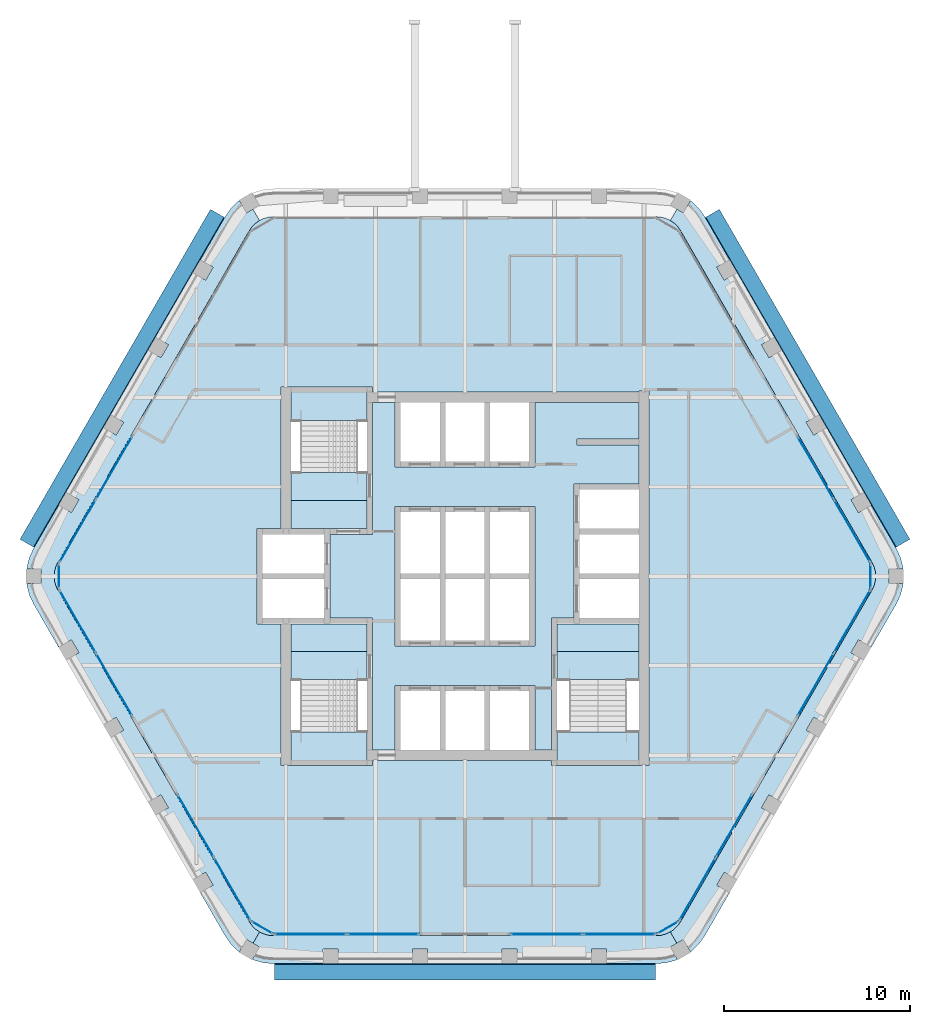
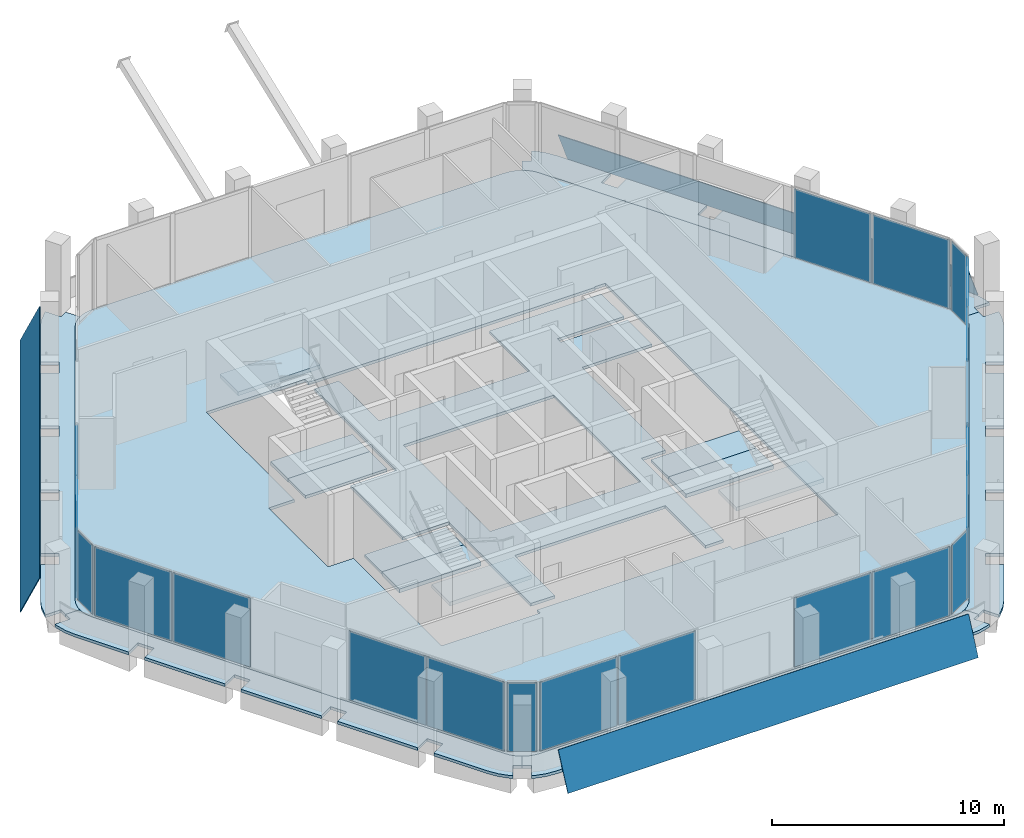
# One storey, part 6 of 14: 23 plates, 16 slabs, 15 elements without a shape of their own.
"""IFC4 building model written with IfcOpenShell, lengths in metres."""

from ifc_helpers import new_model, si_unit, direction, frame, origin, origin_2d, place, context, subcontext, project, spatial, polyline, rectangle, outline, extrude, material, layer, layer_set, type_object, element, aggregate, save


model = new_model("IFC4")

# Units and contexts
model_context = context("Model", 3, precision=1e-05, world=origin(), true_north=direction((0.0, 1.0)))
body_context = subcontext(model_context, "Body", "Model", "MODEL_VIEW")
ifc_project = project(units=[si_unit("LENGTHUNIT", "METRE"), si_unit("AREAUNIT", "SQUARE_METRE"), si_unit("VOLUMEUNIT", "CUBIC_METRE"), si_unit("PLANEANGLEUNIT", "RADIAN"), si_unit("MASSUNIT", "GRAM", prefix="KILO")], contexts=[model_context])

# Site, building, storey
site_placement = place(None, origin())
site = spatial("IfcSite", under=ifc_project, at=site_placement, CompositionType="ELEMENT")
building_placement = place(site_placement, origin())
building = spatial("IfcBuilding", under=site, at=building_placement, Name="Kolab Exchange Tower", CompositionType="ELEMENT")
storey_placement = place(building_placement, frame((0.0, 0.0, 261.800048828125)))
storey = spatial("IfcBuildingStorey", under=building, at=storey_placement, Name="L58", CompositionType="ELEMENT", Elevation=261.800048828125)

# Slabs
ifc_material_1 = material(Name="Concrete C35/45", Category="concrete")
ifc_layer_1 = layer(ifc_material_1, 0.14990234375)
ifc_layer_set_1 = layer_set([ifc_layer_1], Name="Concrete C35/45")
slab_type_1 = type_object("IfcSlabType", Name="FLOOR SLAB 150", PredefinedType="FLOOR", material=ifc_layer_set_1)
slab_1_placement = place(storey_placement, frame((0.0, 0.0, -0.150146484375)))
element("IfcSlab", 1, at=slab_1_placement, inside=storey, type_object=slab_type_1, Name="slab/L58/floor/0", PredefinedType="FLOOR", context=body_context, shape_type="SweptSolid", body=[
    extrude(outline(polyline([(11.56689453125, -18.53466796875), (21.8349609375, -0.75), (21.945556640625, -0.512939453125), (22.01318359375, -0.260498046875), (22.035888671875, 0.0), (22.01318359375, 0.260498046875), (21.945556640625, 0.512939453125), (21.8349609375, 0.75), (11.56689453125, 18.53466796875), (11.4169921875, 18.748779296875), (11.232177734375, 18.93359375), (11.01806640625, 19.083740234375), (10.781005859375, 19.194091796875), (10.5283203125, 19.26171875), (10.26806640625, 19.28466796875), (-10.26806640625, 19.28466796875), (-10.5283203125, 19.26171875), (-10.781005859375, 19.194091796875), (-11.01806640625, 19.083740234375), (-11.232177734375, 18.93359375), (-11.4169921875, 18.748779296875), (-11.56689453125, 18.53466796875), (-21.8349609375, 0.75), (-21.945556640625, 0.512939453125), (-22.01318359375, 0.260498046875), (-22.035888671875, 0.0), (-22.01318359375, -0.260498046875), (-21.945556640625, -0.512939453125), (-21.8349609375, -0.75), (-11.56689453125, -18.53466796875), (-11.4169921875, -18.748779296875), (-11.232177734375, -18.93359375), (-11.01806640625, -19.083740234375), (-10.781005859375, -19.194091796875), (-10.5283203125, -19.26171875), (-10.26806640625, -19.28466796875), (10.26806640625, -19.28466796875), (10.5283203125, -19.26171875), (10.781005859375, -19.194091796875), (11.01806640625, -19.083740234375), (11.232177734375, -18.93359375), (11.4169921875, -18.748779296875), (11.56689453125, -18.53466796875)]), holes=[polyline([(-9.324951171875, -10.14990234375), (-9.875, -10.14990234375), (-9.875, -2.550048828125), (-10.85009765625, -2.550048828125), (-11.14990234375, -2.550048828125), (-11.14990234375, 2.550048828125), (-10.85009765625, 2.550048828125), (-9.875, 2.550048828125), (-9.875, 10.14990234375), (-9.324951171875, 10.14990234375), (-5.25, 10.14990234375), (-4.949951171875, 10.14990234375), (-4.949951171875, 9.875), (9.324951171875, 9.875), (9.324951171875, 9.925048828125), (9.875, 9.925048828125), (9.875, -10.14990234375), (9.324951171875, -10.14990234375), (4.949951171875, -10.14990234375), (4.64990234375, -10.14990234375), (4.64990234375, -9.875), (-4.949951171875, -9.875), (-4.949951171875, -10.14990234375), (-5.25, -10.14990234375), (-9.324951171875, -10.14990234375)])]), origin(), (0.0, 0.0, 1.0), 0.150146484375),
])
slab_2_placement = place(storey_placement, frame((0.0, 0.0, -0.150146484375)))
element("IfcSlab", 2, at=slab_2_placement, inside=storey, type_object=slab_type_1, Name="slab/L58/floor/1", PredefinedType="FLOOR", context=body_context, shape_type="SweptSolid", body=[
    extrude(outline(polyline([(-4.949951171875, 9.324951171875), (-4.949951171875, 2.25), (-5.25, 2.25), (-7.25, 2.25), (-7.25, -2.25), (-5.25, -2.25), (-4.949951171875, -2.25), (-4.949951171875, -9.324951171875), (-3.75, -9.324951171875), (-3.75, -5.85009765625), (-3.449951171875, -5.85009765625), (-1.35009765625, -5.85009765625), (-1.050048828125, -5.85009765625), (1.050048828125, -5.85009765625), (1.35009765625, -5.85009765625), (3.449951171875, -5.85009765625), (3.75, -5.85009765625), (3.75, -9.324951171875), (4.64990234375, -9.324951171875), (4.64990234375, -2.25), (4.949951171875, -2.25), (5.85009765625, -2.25), (5.85009765625, 4.949951171875), (6.14990234375, 4.949951171875), (9.324951171875, 4.949951171875), (9.324951171875, 7.050048828125), (6.0, 7.050048828125), (6.0, 7.35009765625), (9.324951171875, 7.35009765625), (9.324951171875, 9.324951171875), (3.75, 9.324951171875), (3.75, 5.85009765625), (3.449951171875, 5.85009765625), (1.35009765625, 5.85009765625), (1.050048828125, 5.85009765625), (-1.050048828125, 5.85009765625), (-1.35009765625, 5.85009765625), (-3.449951171875, 5.85009765625), (-3.75, 5.85009765625), (-3.75, 9.324951171875), (-4.949951171875, 9.324951171875)]), holes=[polyline([(-3.449951171875, -3.75), (-3.75, -3.75), (-3.75, 3.75), (-3.449951171875, 3.75), (-1.35009765625, 3.75), (-1.050048828125, 3.75), (1.050048828125, 3.75), (1.35009765625, 3.75), (3.449951171875, 3.75), (3.75, 3.75), (3.75, -3.75), (3.449951171875, -3.75), (1.35009765625, -3.75), (1.050048828125, -3.75), (-1.050048828125, -3.75), (-1.35009765625, -3.75), (-3.449951171875, -3.75)])]), origin(), (0.0, 0.0, 1.0), 0.150146484375),
])
slab_3_placement = place(storey_placement, frame((0.0, 0.0, -0.150146484375)))
element("IfcSlab", 3, at=slab_3_placement, inside=storey, type_object=slab_type_1, Name="slab/L58/floor/2", PredefinedType="FLOOR", context=body_context, shape_type="SweptSolid", body=[
    extrude(outline(polyline([(4.949951171875, -2.550048828125), (4.949951171875, -4.050048828125), (9.324951171875, -4.050048828125), (9.324951171875, -2.550048828125), (6.14990234375, -2.550048828125), (5.85009765625, -2.550048828125), (4.949951171875, -2.550048828125)])), origin(), (0.0, 0.0, 1.0), 0.150146484375),
])
slab_4_placement = place(storey_placement, frame((0.0, 0.0, -0.150146484375)))
element("IfcSlab", 4, at=slab_4_placement, inside=storey, type_object=slab_type_1, Name="slab/L58/floor/3", PredefinedType="FLOOR", context=body_context, shape_type="SweptSolid", body=[
    extrude(outline(polyline([(-7.550048828125, -2.550048828125), (-9.324951171875, -2.550048828125), (-9.324951171875, -4.050048828125), (-5.25, -4.050048828125), (-5.25, -2.550048828125), (-7.25, -2.550048828125), (-7.550048828125, -2.550048828125)])), origin(), (0.0, 0.0, 1.0), 0.150146484375),
])
slab_5_placement = place(storey_placement, frame((0.0, 0.0, -0.150146484375)))
element("IfcSlab", 5, at=slab_5_placement, inside=storey, type_object=slab_type_1, Name="slab/L58/floor/4", PredefinedType="FLOOR", context=body_context, shape_type="SweptSolid", body=[
    extrude(outline(polyline([(-9.324951171875, 4.050048828125), (-9.324951171875, 2.550048828125), (-7.550048828125, 2.550048828125), (-7.25, 2.550048828125), (-5.25, 2.550048828125), (-5.25, 4.050048828125), (-9.324951171875, 4.050048828125)])), origin(), (0.0, 0.0, 1.0), 0.150146484375),
])
ifc_layer_2 = layer(ifc_material_1, 0.14990234375)
ifc_layer_set_2 = layer_set([ifc_layer_2], Name="Concrete C35/45")
slab_type_2 = type_object("IfcSlabType", Name="LOGGIA SLAB 150", PredefinedType="FLOOR", material=ifc_layer_set_2)
slab_6_placement = place(storey_placement, frame((0.0, 0.0, -0.150146484375)))
element("IfcSlab", 6, at=slab_6_placement, inside=storey, type_object=slab_type_2, Name="slab/L58/loggia/1-0", PredefinedType="FLOOR", context=body_context, shape_type="SweptSolid", body=[
    extrude(outline(polyline([(22.035888671875, 0.0), (22.73583984375, 0.0), (22.73583984375, 0.39990234375), (23.5009765625, 0.39990234375), (23.490234375, 0.52099609375), (23.35498046875, 1.026123046875), (23.134033203125, 1.5), (21.800048828125, 3.810546875), (21.107177734375, 3.410400390625), (20.707275390625, 4.103271484375), (21.39990234375, 4.50341796875), (19.39990234375, 7.967529296875), (18.707275390625, 7.5673828125), (18.30712890625, 8.26025390625), (19.0, 8.66015625), (17.0, 12.124267578125), (16.30712890625, 11.724365234375), (15.9072265625, 12.417236328125), (16.60009765625, 12.817138671875), (14.60009765625, 16.28125), (13.9072265625, 15.88134765625), (13.507080078125, 16.57421875), (14.199951171875, 16.97412109375), (12.865966796875, 19.28466796875), (12.566162109375, 19.712890625), (12.1962890625, 20.082763671875), (12.096923828125, 20.15234375), (11.71435546875, 19.48974609375), (11.367919921875, 19.68994140625), (11.01806640625, 19.083740234375), (11.232177734375, 18.93359375), (11.4169921875, 18.748779296875), (11.56689453125, 18.53466796875), (21.8349609375, 0.75), (21.945556640625, 0.512939453125), (22.01318359375, 0.260498046875), (22.035888671875, 0.0)])), origin(), (0.0, 0.0, 1.0), 0.150146484375),
])
slab_7_placement = place(storey_placement, frame((0.0, 0.0, -0.150146484375)))
element("IfcSlab", 7, at=slab_7_placement, inside=storey, type_object=slab_type_2, Name="slab/L58/loggia/2-0", PredefinedType="FLOOR", context=body_context, shape_type="SweptSolid", body=[
    extrude(outline(polyline([(12.865966796875, -19.28466796875), (14.199951171875, -16.97412109375), (13.507080078125, -16.57421875), (13.9072265625, -15.88134765625), (14.60009765625, -16.28125), (16.60009765625, -12.817138671875), (15.9072265625, -12.417236328125), (16.30712890625, -11.724365234375), (17.0, -12.124267578125), (19.0, -8.66015625), (18.30712890625, -8.26025390625), (18.707275390625, -7.5673828125), (19.39990234375, -7.967529296875), (21.39990234375, -4.50341796875), (20.707275390625, -4.103271484375), (21.107177734375, -3.410400390625), (21.800048828125, -3.810546875), (23.134033203125, -1.5), (23.35498046875, -1.026123046875), (23.490234375, -0.52099609375), (23.5009765625, -0.39990234375), (22.73583984375, -0.39990234375), (22.73583984375, 0.0), (22.035888671875, 0.0), (22.01318359375, -0.260498046875), (21.945556640625, -0.512939453125), (21.8349609375, -0.75), (11.56689453125, -18.53466796875), (11.4169921875, -18.748779296875), (11.232177734375, -18.93359375), (11.01806640625, -19.083740234375), (11.367919921875, -19.68994140625), (11.71435546875, -19.48974609375), (12.096923828125, -20.15234375), (12.1962890625, -20.082763671875), (12.566162109375, -19.712890625), (12.865966796875, -19.28466796875)])), origin(), (0.0, 0.0, 1.0), 0.150146484375),
])
slab_8_placement = place(storey_placement, frame((0.0, 0.0, -0.150146484375)))
element("IfcSlab", 8, at=slab_8_placement, inside=storey, type_object=slab_type_2, Name="slab/L58/loggia/3-0", PredefinedType="FLOOR", context=body_context, shape_type="SweptSolid", body=[
    extrude(outline(polyline([(-11.01806640625, -19.083740234375), (-11.367919921875, -19.68994140625), (-11.021484375, -19.889892578125), (-11.404052734375, -20.552490234375), (-11.2939453125, -20.603759765625), (-10.788818359375, -20.739013671875), (-10.26806640625, -20.78466796875), (-7.60009765625, -20.78466796875), (-7.60009765625, -19.984619140625), (-6.800048828125, -19.984619140625), (-6.800048828125, -20.78466796875), (-2.800048828125, -20.78466796875), (-2.800048828125, -19.984619140625), (-2.0, -19.984619140625), (-2.0, -20.78466796875), (2.0, -20.78466796875), (2.0, -19.984619140625), (2.800048828125, -19.984619140625), (2.800048828125, -20.78466796875), (6.800048828125, -20.78466796875), (6.800048828125, -19.984619140625), (7.60009765625, -19.984619140625), (7.60009765625, -20.78466796875), (10.26806640625, -20.78466796875), (10.788818359375, -20.739013671875), (11.2939453125, -20.603759765625), (11.404052734375, -20.552490234375), (11.021484375, -19.889892578125), (11.367919921875, -19.68994140625), (11.01806640625, -19.083740234375), (10.781005859375, -19.194091796875), (10.5283203125, -19.26171875), (10.26806640625, -19.28466796875), (-10.26806640625, -19.28466796875), (-10.5283203125, -19.26171875), (-10.781005859375, -19.194091796875), (-11.01806640625, -19.083740234375)])), origin(), (0.0, 0.0, 1.0), 0.150146484375),
])
slab_9_placement = place(storey_placement, frame((0.0, 0.0, -0.150146484375)))
element("IfcSlab", 9, at=slab_9_placement, inside=storey, type_object=slab_type_2, Name="slab/L58/loggia/4-0", PredefinedType="FLOOR", context=body_context, shape_type="SweptSolid", body=[
    extrude(outline(polyline([(-22.035888671875, 0.0), (-22.73583984375, 0.0), (-22.73583984375, -0.39990234375), (-23.5009765625, -0.39990234375), (-23.490234375, -0.52099609375), (-23.35498046875, -1.026123046875), (-23.134033203125, -1.5), (-21.800048828125, -3.810546875), (-21.107177734375, -3.410400390625), (-20.707275390625, -4.103271484375), (-21.39990234375, -4.50341796875), (-19.39990234375, -7.967529296875), (-18.707275390625, -7.5673828125), (-18.30712890625, -8.26025390625), (-19.0, -8.66015625), (-17.0, -12.124267578125), (-16.30712890625, -11.724365234375), (-15.9072265625, -12.417236328125), (-16.60009765625, -12.817138671875), (-14.60009765625, -16.28125), (-13.9072265625, -15.88134765625), (-13.507080078125, -16.57421875), (-14.199951171875, -16.97412109375), (-12.865966796875, -19.28466796875), (-12.566162109375, -19.712890625), (-12.1962890625, -20.082763671875), (-12.096923828125, -20.15234375), (-11.71435546875, -19.48974609375), (-11.367919921875, -19.68994140625), (-11.01806640625, -19.083740234375), (-11.232177734375, -18.93359375), (-11.4169921875, -18.748779296875), (-11.56689453125, -18.53466796875), (-21.8349609375, -0.75), (-21.945556640625, -0.512939453125), (-22.01318359375, -0.260498046875), (-22.035888671875, 0.0)])), origin(), (0.0, 0.0, 1.0), 0.150146484375),
])
slab_10_placement = place(storey_placement, frame((0.0, 0.0, -0.150146484375)))
element("IfcSlab", 10, at=slab_10_placement, inside=storey, type_object=slab_type_2, Name="slab/L58/loggia/5-0", PredefinedType="FLOOR", context=body_context, shape_type="SweptSolid", body=[
    extrude(outline(polyline([(-11.01806640625, 19.083740234375), (-11.367919921875, 19.68994140625), (-11.71435546875, 19.48974609375), (-12.096923828125, 20.15234375), (-12.1962890625, 20.082763671875), (-12.566162109375, 19.712890625), (-12.865966796875, 19.28466796875), (-14.199951171875, 16.97412109375), (-13.507080078125, 16.57421875), (-13.9072265625, 15.88134765625), (-14.60009765625, 16.28125), (-16.60009765625, 12.817138671875), (-15.9072265625, 12.417236328125), (-16.30712890625, 11.724365234375), (-17.0, 12.124267578125), (-19.0, 8.66015625), (-18.30712890625, 8.26025390625), (-18.707275390625, 7.5673828125), (-19.39990234375, 7.967529296875), (-21.39990234375, 4.50341796875), (-20.707275390625, 4.103271484375), (-21.107177734375, 3.410400390625), (-21.800048828125, 3.810546875), (-23.134033203125, 1.5), (-23.35498046875, 1.026123046875), (-23.490234375, 0.52099609375), (-23.5009765625, 0.39990234375), (-22.73583984375, 0.39990234375), (-22.73583984375, 0.0), (-22.035888671875, 0.0), (-22.01318359375, 0.260498046875), (-21.945556640625, 0.512939453125), (-21.8349609375, 0.75), (-11.56689453125, 18.53466796875), (-11.4169921875, 18.748779296875), (-11.232177734375, 18.93359375), (-11.01806640625, 19.083740234375)])), origin(), (0.0, 0.0, 1.0), 0.150146484375),
])

# Plates
ifc_material_2 = material(Name="Laminated glass, clear", Category="glass")
ifc_layer_3 = layer(ifc_material_2, 0.0400390625)
ifc_layer_set_3 = layer_set([ifc_layer_3], Name="Laminated glass, clear")
plate_type_1 = type_object("IfcPlateType", Name="OUTER SKIN LAMINATED GLASS SHEET 40", PredefinedType="SHEET", material=ifc_layer_set_3)
plate_1_placement = place(storey_placement, frame((13.6494140625, 19.67919921875, -0.68310546875), z_axis=(0.784886322863, 0.453152182031, 0.422618693508), x_axis=(0.499997422494, -0.866026891901, 1.981408e-06)))
element("IfcPlate", 11, at=plate_1_placement, inside=storey, type_object=plate_type_1, Name="Outer skin", PredefinedType="SHEET", context=body_context, shape_type="SweptSolid", body=[
    extrude(outline(polyline([(0.0, 0.0), (20.435802623779963, 0.0), (20.435856947346753, -1.9860898935068516), (-6.774611643567295e-05, -1.9861792489881693), (0.0, 0.0)])), origin(), (0.0, 0.0, -1.0), 0.0400390625),
])
plate_2_placement = place(storey_placement, frame((10.218017578125, -21.66015625, -0.68310546875), z_axis=(0.0, -0.906311853188, 0.422609541742), x_axis=(-1.0, 0.0, 0.0)))
element("IfcPlate", 12, at=plate_2_placement, inside=storey, type_object=plate_type_1, Name="Outer skin", PredefinedType="SHEET", context=body_context, shape_type="SweptSolid", body=[
    extrude(outline(polyline([(0.0, 0.0), (20.43603515625, 0.0), (20.43603515625, -1.9861252192534886), (0.0, -1.9861252192534886), (0.0, 0.0)])), origin(), (0.0, 0.0, -1.0), 0.0400390625),
])
plate_3_placement = place(storey_placement, frame((-23.8671875, 1.981201171875, -0.68310546875), z_axis=(-0.784886322863, 0.453152182031, 0.422618693508), x_axis=(0.499997422494, 0.866026891901, -1.981408e-06)))
element("IfcPlate", 13, at=plate_3_placement, inside=storey, type_object=plate_type_1, Name="Outer skin", PredefinedType="SHEET", context=body_context, shape_type="SweptSolid", body=[
    extrude(outline(polyline([(0.0, 0.0), (20.435802623779963, 0.0), (20.435870369896403, -1.9861792489881698), (-5.4323566790471804e-05, -1.9860898935068518), (0.0, 0.0)])), origin(), (0.0, 0.0, -1.0), 0.0400390625),
])

# Stair, slabs
ifc_material_3 = material(Name="Concrete C50/60", Category="concrete")
stair_type_1 = type_object("IfcStairType", Name="STAIR ST1 RISER 177.3", PredefinedType="HALF_TURN_STAIR", material=ifc_material_3)
stair_1_placement = place(storey_placement, origin())
stair_1 = element("IfcStair", 14, at=stair_1_placement, inside=storey, type_object=stair_type_1, Name="Stair 1", PredefinedType="HALF_TURN_STAIR")
ifc_layer_4 = layer(ifc_material_3, 0.199951171875)
ifc_layer_set_4 = layer_set([ifc_layer_4], Name="Concrete C50/60")
slab_type_3 = type_object("IfcSlabType", Name="STAIR LANDING 200", PredefinedType="LANDING", material=ifc_layer_set_4)
slab_11_placement = place(storey_placement, frame((0.0, 0.0, -0.199951171875)))
slab_11 = element("IfcSlab", 15, at=slab_11_placement, type_object=slab_type_3, Name="ST1 landing 1", PredefinedType="LANDING", context=body_context, shape_type="SweptSolid", body=[
    extrude(outline(polyline([(-9.324951171875, 4.050048828125), (-5.25, 4.050048828125), (-5.25, 5.550048828125), (-9.324951171875, 5.550048828125), (-9.324951171875, 4.050048828125)])), origin(), (0.0, 0.0, 1.0), 0.199951171875),
])
slab_12_placement = place(storey_placement, frame((0.0, 0.0, 1.75)))
slab_12 = element("IfcSlab", 16, at=slab_12_placement, type_object=slab_type_3, Name="ST1 landing 2", PredefinedType="LANDING", context=body_context, shape_type="SweptSolid", body=[
    extrude(outline(polyline([(-9.324951171875, 8.35009765625), (-5.25, 8.35009765625), (-5.25, 9.909912109375), (-9.324951171875, 9.909912109375), (-9.324951171875, 8.35009765625)])), origin(), (0.0, 0.0, 1.0), 0.199951171875),
])
aggregate(stair_1, [slab_11, slab_12])

stair_type_2 = type_object("IfcStairType", Name="STAIR ST3 RISER 177.3", PredefinedType="HALF_TURN_STAIR", material=ifc_material_3)
stair_2_placement = place(storey_placement, origin())
stair_2 = element("IfcStair", 17, at=stair_2_placement, inside=storey, type_object=stair_type_2, Name="Stair 3", PredefinedType="HALF_TURN_STAIR")
slab_13_placement = place(storey_placement, frame((0.0, 0.0, -0.199951171875)))
slab_13 = element("IfcSlab", 18, at=slab_13_placement, type_object=slab_type_3, Name="ST3 landing 1", PredefinedType="LANDING", context=body_context, shape_type="SweptSolid", body=[
    extrude(outline(polyline([(-9.324951171875, -5.550048828125), (-5.25, -5.550048828125), (-5.25, -4.050048828125), (-9.324951171875, -4.050048828125), (-9.324951171875, -5.550048828125)])), origin(), (0.0, 0.0, 1.0), 0.199951171875),
])
slab_14_placement = place(storey_placement, frame((0.0, 0.0, 1.75)))
slab_14 = element("IfcSlab", 19, at=slab_14_placement, type_object=slab_type_3, Name="ST3 landing 2", PredefinedType="LANDING", context=body_context, shape_type="SweptSolid", body=[
    extrude(outline(polyline([(-9.324951171875, -9.909912109375), (-5.25, -9.909912109375), (-5.25, -8.35009765625), (-9.324951171875, -8.35009765625), (-9.324951171875, -9.909912109375)])), origin(), (0.0, 0.0, 1.0), 0.199951171875),
])
aggregate(stair_2, [slab_13, slab_14])

stair_type_3 = type_object("IfcStairType", Name="STAIR ST2 RISER 177.3", PredefinedType="HALF_TURN_STAIR", material=ifc_material_3)
stair_3_placement = place(storey_placement, origin())
stair_3 = element("IfcStair", 20, at=stair_3_placement, inside=storey, type_object=stair_type_3, Name="Stair 2", PredefinedType="HALF_TURN_STAIR")
slab_15_placement = place(storey_placement, frame((0.0, 0.0, -0.199951171875)))
slab_15 = element("IfcSlab", 21, at=slab_15_placement, type_object=slab_type_3, Name="ST2 landing 1", PredefinedType="LANDING", context=body_context, shape_type="SweptSolid", body=[
    extrude(outline(polyline([(4.949951171875, -5.550048828125), (9.324951171875, -5.550048828125), (9.324951171875, -4.050048828125), (4.949951171875, -4.050048828125), (4.949951171875, -5.550048828125)])), origin(), (0.0, 0.0, 1.0), 0.199951171875),
])
slab_16_placement = place(storey_placement, frame((0.0, 0.0, 1.75)))
slab_16 = element("IfcSlab", 22, at=slab_16_placement, type_object=slab_type_3, Name="ST2 landing 2", PredefinedType="LANDING", context=body_context, shape_type="SweptSolid", body=[
    extrude(outline(polyline([(4.949951171875, -9.909912109375), (9.324951171875, -9.909912109375), (9.324951171875, -8.35009765625), (4.949951171875, -8.35009765625), (4.949951171875, -9.909912109375)])), origin(), (0.0, 0.0, 1.0), 0.199951171875),
])
aggregate(stair_3, [slab_15, slab_16])

# Curtain wall, plates
ifc_material_4 = material(Name="Aluminium EN AW-6063 T6", Category="aluminium")
curtain_wall_type = type_object("IfcCurtainWallType", Name="UNITISED HIGH ZONE CURTAIN WALL", PredefinedType="NOTDEFINED", material=ifc_material_4)
curtain_wall_1_placement = place(storey_placement, origin())
curtain_wall_1 = element("IfcCurtainWall", 23, at=curtain_wall_1_placement, inside=storey, type_object=curtain_wall_type, Name="cw/L58/F2-2", PredefinedType="NOTDEFINED")
ifc_material_5 = material(Name="Clear insulated glazing unit", Category="glass")
ifc_layer_5 = layer(ifc_material_5, 0.030029296875)
ifc_layer_set_5 = layer_set([ifc_layer_5], Name="Clear insulated glazing unit")
plate_type_2 = type_object("IfcPlateType", Name="UNITISED HIGH ZONE GLASS PANEL 30", PredefinedType="CURTAIN_PANEL", material=ifc_layer_set_5)
plate_4_placement = place(storey_placement, frame((18.82275390625, 5.807373046875, 0.06005859375), z_axis=(0.0, 0.0, 1.0), x_axis=(0.499999936366, -0.866025440524, 0.0)))
plate_4 = element("IfcPlate", 24, at=plate_4_placement, type_object=plate_type_2, Name="CW4 panel 1.1", PredefinedType="CURTAIN_PANEL", context=body_context, shape_type="SweptSolid", body=[
    extrude(rectangle(XDim=3.843994140625, YDim=0.030029296875, at=origin_2d()), origin(), (0.0, 0.0, 1.0), 3.6298828125),
])
plate_5_placement = place(storey_placement, frame((20.774658203125, 2.426513671875, 0.06005859375), z_axis=(0.0, 0.0, 1.0), x_axis=(0.499999936366, -0.866025440524, 0.0)))
plate_5 = element("IfcPlate", 25, at=plate_5_placement, type_object=plate_type_2, Name="CW4 panel 2.1", PredefinedType="CURTAIN_PANEL", context=body_context, shape_type="SweptSolid", body=[
    extrude(rectangle(XDim=3.843994140625, YDim=0.030029296875, at=origin_2d()), origin(), (0.0, 0.0, 1.0), 3.6298828125),
])
aggregate(curtain_wall_1, [plate_4, plate_5])

curtain_wall_2_placement = place(storey_placement, origin())
curtain_wall_2 = element("IfcCurtainWall", 26, at=curtain_wall_2_placement, inside=storey, type_object=curtain_wall_type, Name="cw/L58/F3-1", PredefinedType="NOTDEFINED")
plate_6_placement = place(storey_placement, frame((20.774658203125, -2.426513671875, 0.06005859375), z_axis=(0.0, 0.0, 1.0), x_axis=(-0.499999936366, -0.866025440524, 0.0)))
plate_6 = element("IfcPlate", 27, at=plate_6_placement, type_object=plate_type_2, Name="CW4 panel 1.1", PredefinedType="CURTAIN_PANEL", context=body_context, shape_type="SweptSolid", body=[
    extrude(rectangle(XDim=3.843994140625, YDim=0.030029296875, at=origin_2d()), origin(), (0.0, 0.0, 1.0), 3.6298828125),
])
plate_7_placement = place(storey_placement, frame((18.82275390625, -5.807373046875, 0.06005859375), z_axis=(0.0, 0.0, 1.0), x_axis=(-0.499999936366, -0.866025440524, 0.0)))
plate_7 = element("IfcPlate", 28, at=plate_7_placement, type_object=plate_type_2, Name="CW4 panel 2.1", PredefinedType="CURTAIN_PANEL", context=body_context, shape_type="SweptSolid", body=[
    extrude(rectangle(XDim=3.843994140625, YDim=0.030029296875, at=origin_2d()), origin(), (0.0, 0.0, 1.0), 3.6298828125),
])
aggregate(curtain_wall_2, [plate_6, plate_7])

curtain_wall_3_placement = place(storey_placement, origin())
curtain_wall_3 = element("IfcCurtainWall", 29, at=curtain_wall_3_placement, inside=storey, type_object=curtain_wall_type, Name="cw/L58/F3-2", PredefinedType="NOTDEFINED")
plate_8_placement = place(storey_placement, frame((14.440673828125, -13.397216796875, 0.06005859375), z_axis=(0.0, 0.0, 1.0), x_axis=(-0.500000031681, -0.866025385493, 0.0)))
plate_8 = element("IfcPlate", 30, at=plate_8_placement, type_object=plate_type_2, Name="CW4 panel 1.1", PredefinedType="CURTAIN_PANEL", context=body_context, shape_type="SweptSolid", body=[
    extrude(rectangle(XDim=3.843994140625, YDim=0.030029296875, at=origin_2d()), origin(), (0.0, 0.0, 1.0), 3.6298828125),
])
plate_9_placement = place(storey_placement, frame((12.48876953125, -16.778076171875, 0.06005859375), z_axis=(0.0, 0.0, 1.0), x_axis=(-0.500000031681, -0.866025385493, 0.0)))
plate_9 = element("IfcPlate", 31, at=plate_9_placement, type_object=plate_type_2, Name="CW4 panel 2.1", PredefinedType="CURTAIN_PANEL", context=body_context, shape_type="SweptSolid", body=[
    extrude(rectangle(XDim=3.843994140625, YDim=0.030029296875, at=origin_2d()), origin(), (0.0, 0.0, 1.0), 3.6298828125),
])
aggregate(curtain_wall_3, [plate_8, plate_9])

curtain_wall_4_placement = place(storey_placement, origin())
curtain_wall_4 = element("IfcCurtainWall", 32, at=curtain_wall_4_placement, inside=storey, type_object=curtain_wall_type, Name="cw/L58/F4-1", PredefinedType="NOTDEFINED")
plate_10_placement = place(storey_placement, frame((8.285888671875, -19.20458984375, 0.06005859375), z_axis=(0.0, 0.0, 1.0), x_axis=(-1.0, 0.0, 0.0)))
plate_10 = element("IfcPlate", 33, at=plate_10_placement, type_object=plate_type_2, Name="CW4 panel 1.1", PredefinedType="CURTAIN_PANEL", context=body_context, shape_type="SweptSolid", body=[
    extrude(rectangle(XDim=3.843994140625, YDim=0.030029296875, at=origin_2d()), origin(), (0.0, 0.0, 1.0), 3.6298828125),
])
plate_11_placement = place(storey_placement, frame((4.382080078125, -19.20458984375, 0.06005859375), z_axis=(0.0, 0.0, 1.0), x_axis=(-1.0, 0.0, 0.0)))
plate_11 = element("IfcPlate", 34, at=plate_11_placement, type_object=plate_type_2, Name="CW4 panel 2.1", PredefinedType="CURTAIN_PANEL", context=body_context, shape_type="SweptSolid", body=[
    extrude(rectangle(XDim=3.843994140625, YDim=0.030029296875, at=origin_2d()), origin(), (0.0, 0.0, 1.0), 3.6298828125),
])
aggregate(curtain_wall_4, [plate_10, plate_11])

curtain_wall_5_placement = place(storey_placement, origin())
curtain_wall_5 = element("IfcCurtainWall", 35, at=curtain_wall_5_placement, inside=storey, type_object=curtain_wall_type, Name="cw/L58/F4-2", PredefinedType="NOTDEFINED")
plate_12_placement = place(storey_placement, frame((-4.382080078125, -19.20458984375, 0.06005859375), z_axis=(0.0, 0.0, 1.0), x_axis=(-1.0, 0.0, 0.0)))
plate_12 = element("IfcPlate", 36, at=plate_12_placement, type_object=plate_type_2, Name="CW4 panel 1.1", PredefinedType="CURTAIN_PANEL", context=body_context, shape_type="SweptSolid", body=[
    extrude(rectangle(XDim=3.843994140625, YDim=0.030029296875, at=origin_2d()), origin(), (0.0, 0.0, 1.0), 3.6298828125),
])
plate_13_placement = place(storey_placement, frame((-8.285888671875, -19.20458984375, 0.06005859375), z_axis=(0.0, 0.0, 1.0), x_axis=(-1.0, 0.0, 0.0)))
plate_13 = element("IfcPlate", 37, at=plate_13_placement, type_object=plate_type_2, Name="CW4 panel 2.1", PredefinedType="CURTAIN_PANEL", context=body_context, shape_type="SweptSolid", body=[
    extrude(rectangle(XDim=3.843994140625, YDim=0.030029296875, at=origin_2d()), origin(), (0.0, 0.0, 1.0), 3.6298828125),
])
aggregate(curtain_wall_5, [plate_12, plate_13])

curtain_wall_6_placement = place(storey_placement, origin())
curtain_wall_6 = element("IfcCurtainWall", 38, at=curtain_wall_6_placement, inside=storey, type_object=curtain_wall_type, Name="cw/L58/F5-1", PredefinedType="NOTDEFINED")
plate_14_placement = place(storey_placement, frame((-12.48876953125, -16.778076171875, 0.06005859375), z_axis=(0.0, 0.0, 1.0), x_axis=(-0.500000031681, 0.866025385493, 0.0)))
plate_14 = element("IfcPlate", 39, at=plate_14_placement, type_object=plate_type_2, Name="CW4 panel 1.1", PredefinedType="CURTAIN_PANEL", context=body_context, shape_type="SweptSolid", body=[
    extrude(rectangle(XDim=3.843994140625, YDim=0.030029296875, at=origin_2d()), origin(), (0.0, 0.0, 1.0), 3.6298828125),
])
plate_15_placement = place(storey_placement, frame((-14.440673828125, -13.397216796875, 0.06005859375), z_axis=(0.0, 0.0, 1.0), x_axis=(-0.500000031681, 0.866025385493, 0.0)))
plate_15 = element("IfcPlate", 40, at=plate_15_placement, type_object=plate_type_2, Name="CW4 panel 2.1", PredefinedType="CURTAIN_PANEL", context=body_context, shape_type="SweptSolid", body=[
    extrude(rectangle(XDim=3.843994140625, YDim=0.030029296875, at=origin_2d()), origin(), (0.0, 0.0, 1.0), 3.6298828125),
])
aggregate(curtain_wall_6, [plate_14, plate_15])

curtain_wall_7_placement = place(storey_placement, origin())
curtain_wall_7 = element("IfcCurtainWall", 41, at=curtain_wall_7_placement, inside=storey, type_object=curtain_wall_type, Name="cw/L58/F5-2", PredefinedType="NOTDEFINED")
plate_16_placement = place(storey_placement, frame((-18.82275390625, -5.807373046875, 0.06005859375), z_axis=(0.0, 0.0, 1.0), x_axis=(-0.499999936366, 0.866025440524, 0.0)))
plate_16 = element("IfcPlate", 42, at=plate_16_placement, type_object=plate_type_2, Name="CW4 panel 1.1", PredefinedType="CURTAIN_PANEL", context=body_context, shape_type="SweptSolid", body=[
    extrude(rectangle(XDim=3.843994140625, YDim=0.030029296875, at=origin_2d()), origin(), (0.0, 0.0, 1.0), 3.6298828125),
])
plate_17_placement = place(storey_placement, frame((-20.774658203125, -2.426513671875, 0.06005859375), z_axis=(0.0, 0.0, 1.0), x_axis=(-0.499999936366, 0.866025440524, 0.0)))
plate_17 = element("IfcPlate", 43, at=plate_17_placement, type_object=plate_type_2, Name="CW4 panel 2.1", PredefinedType="CURTAIN_PANEL", context=body_context, shape_type="SweptSolid", body=[
    extrude(rectangle(XDim=3.843994140625, YDim=0.030029296875, at=origin_2d()), origin(), (0.0, 0.0, 1.0), 3.6298828125),
])
aggregate(curtain_wall_7, [plate_16, plate_17])

curtain_wall_8_placement = place(storey_placement, origin())
curtain_wall_8 = element("IfcCurtainWall", 44, at=curtain_wall_8_placement, inside=storey, type_object=curtain_wall_type, Name="cw/L58/F6-1", PredefinedType="NOTDEFINED")
plate_18_placement = place(storey_placement, frame((-20.774658203125, 2.426513671875, 0.06005859375), z_axis=(0.0, 0.0, 1.0), x_axis=(0.499999936366, 0.866025440524, 0.0)))
plate_18 = element("IfcPlate", 45, at=plate_18_placement, type_object=plate_type_2, Name="CW4 panel 1.1", PredefinedType="CURTAIN_PANEL", context=body_context, shape_type="SweptSolid", body=[
    extrude(rectangle(XDim=3.843994140625, YDim=0.030029296875, at=origin_2d()), origin(), (0.0, 0.0, 1.0), 3.6298828125),
])
plate_19_placement = place(storey_placement, frame((-18.82275390625, 5.807373046875, 0.06005859375), z_axis=(0.0, 0.0, 1.0), x_axis=(0.499999936366, 0.866025440524, 0.0)))
plate_19 = element("IfcPlate", 46, at=plate_19_placement, type_object=plate_type_2, Name="CW4 panel 2.1", PredefinedType="CURTAIN_PANEL", context=body_context, shape_type="SweptSolid", body=[
    extrude(rectangle(XDim=3.843994140625, YDim=0.030029296875, at=origin_2d()), origin(), (0.0, 0.0, 1.0), 3.6298828125),
])
aggregate(curtain_wall_8, [plate_18, plate_19])

# Curtain wall, plate
curtain_wall_9_placement = place(storey_placement, origin())
curtain_wall_9 = element("IfcCurtainWall", 47, at=curtain_wall_9_placement, inside=storey, type_object=curtain_wall_type, Name="cw/L58/F2F3-corner", PredefinedType="NOTDEFINED")
plate_20_placement = place(storey_placement, frame((21.765625, 0.0, 0.06005859375), z_axis=(0.0, 0.0, 1.0), x_axis=(0.0, -1.0, 0.0)))
plate_20 = element("IfcPlate", 48, at=plate_20_placement, type_object=plate_type_2, Name="CW4 panel 1.1", PredefinedType="CURTAIN_PANEL", context=body_context, shape_type="SweptSolid", body=[
    extrude(rectangle(XDim=1.300048828125, YDim=0.030029296875, at=origin_2d()), origin(), (0.0, 0.0, 1.0), 3.6298828125),
])
aggregate(curtain_wall_9, [plate_20])

curtain_wall_10_placement = place(storey_placement, origin())
curtain_wall_10 = element("IfcCurtainWall", 49, at=curtain_wall_10_placement, inside=storey, type_object=curtain_wall_type, Name="cw/L58/F3F4-corner", PredefinedType="NOTDEFINED")
plate_21_placement = place(storey_placement, frame((10.8828125, -18.849609375, 0.06005859375), z_axis=(0.0, 0.0, 1.0), x_axis=(-0.866025390869, -0.50000002237, 0.0)))
plate_21 = element("IfcPlate", 50, at=plate_21_placement, type_object=plate_type_2, Name="CW4 panel 1.1", PredefinedType="CURTAIN_PANEL", context=body_context, shape_type="SweptSolid", body=[
    extrude(rectangle(XDim=1.300048828125, YDim=0.030029296875, at=origin_2d()), origin(), (0.0, 0.0, 1.0), 3.6298828125),
])
aggregate(curtain_wall_10, [plate_21])

curtain_wall_11_placement = place(storey_placement, origin())
curtain_wall_11 = element("IfcCurtainWall", 51, at=curtain_wall_11_placement, inside=storey, type_object=curtain_wall_type, Name="cw/L58/F4F5-corner", PredefinedType="NOTDEFINED")
plate_22_placement = place(storey_placement, frame((-10.8828125, -18.849609375, 0.06005859375), z_axis=(0.0, 0.0, 1.0), x_axis=(-0.866025390869, 0.50000002237, 0.0)))
plate_22 = element("IfcPlate", 52, at=plate_22_placement, type_object=plate_type_2, Name="CW4 panel 1.1", PredefinedType="CURTAIN_PANEL", context=body_context, shape_type="SweptSolid", body=[
    extrude(rectangle(XDim=1.300048828125, YDim=0.030029296875, at=origin_2d()), origin(), (0.0, 0.0, 1.0), 3.6298828125),
])
aggregate(curtain_wall_11, [plate_22])

curtain_wall_12_placement = place(storey_placement, origin())
curtain_wall_12 = element("IfcCurtainWall", 53, at=curtain_wall_12_placement, inside=storey, type_object=curtain_wall_type, Name="cw/L58/F5F6-corner", PredefinedType="NOTDEFINED")
plate_23_placement = place(storey_placement, frame((-21.765625, 0.0, 0.06005859375), z_axis=(0.0, 0.0, 1.0), x_axis=(0.0, 1.0, 0.0)))
plate_23 = element("IfcPlate", 54, at=plate_23_placement, type_object=plate_type_2, Name="CW4 panel 1.1", PredefinedType="CURTAIN_PANEL", context=body_context, shape_type="SweptSolid", body=[
    extrude(rectangle(XDim=1.300048828125, YDim=0.030029296875, at=origin_2d()), origin(), (0.0, 0.0, 1.0), 3.6298828125),
])
aggregate(curtain_wall_12, [plate_23])

save(model, "model.ifc")
